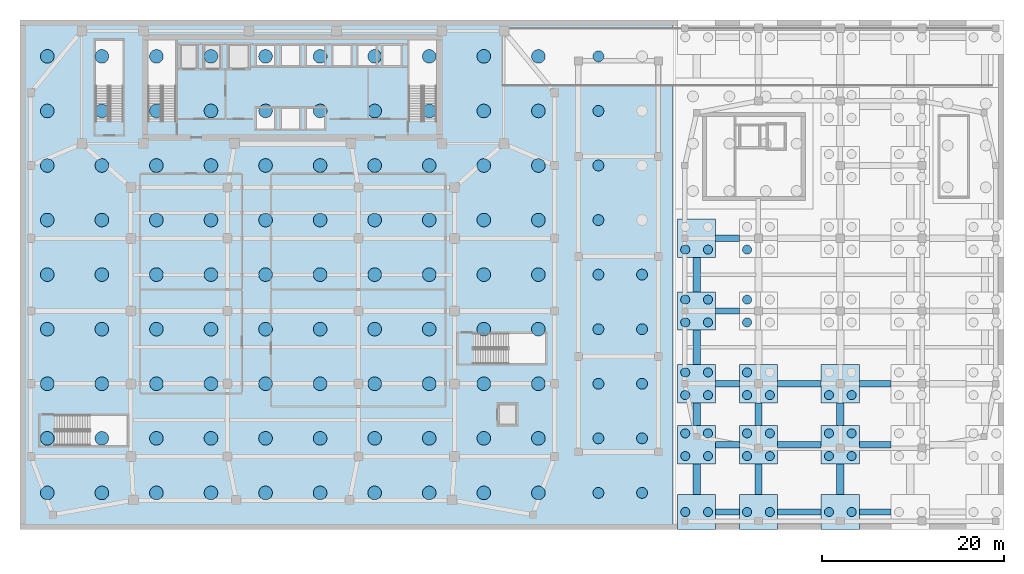
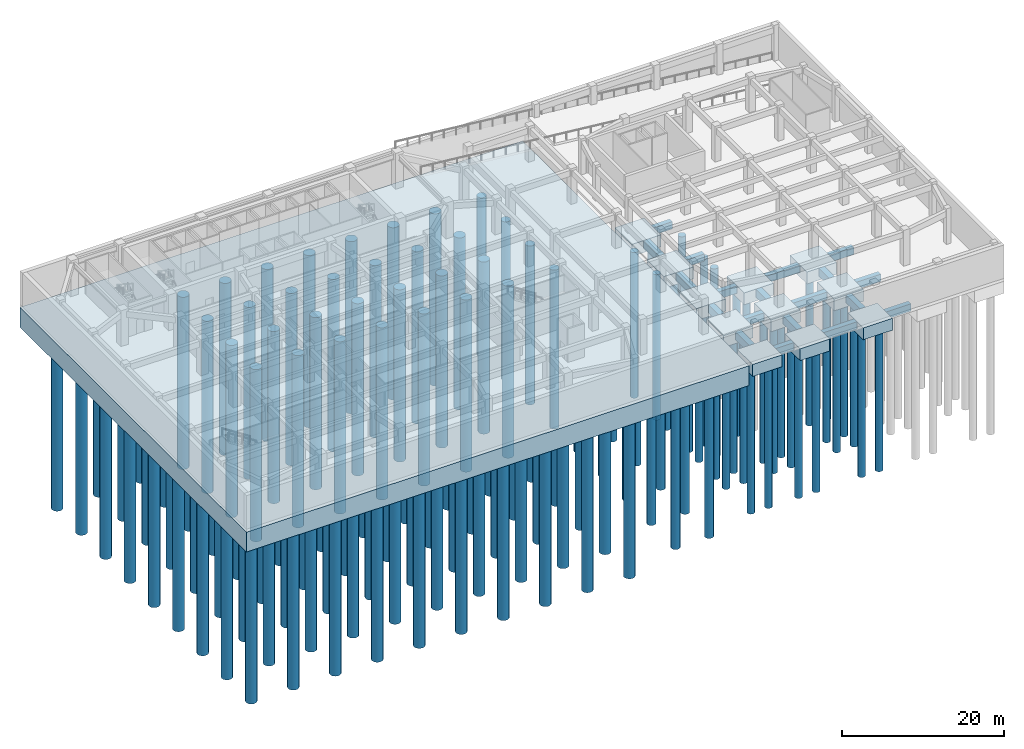
# One storey, part 1 of 18: 140 piles, 31 footings.
"""IFC4 building model written with IfcOpenShell, lengths in metres."""

from ifc_helpers import new_model, si_unit, direction, frame, origin, origin_2d, place, context, subcontext, project, spatial, polyline, rectangle, circle, outline, extrude, material, layer, layer_set, material_profile, profile_set, type_object, element, save


model = new_model("IFC4")

# Units and contexts
model_context = context("Model", 3, precision=1e-05, world=origin(), true_north=direction((0.0, 1.0)))
body_context = subcontext(model_context, "Body", "Model", "MODEL_VIEW")
ifc_project = project(units=[si_unit("LENGTHUNIT", "METRE"), si_unit("AREAUNIT", "SQUARE_METRE"), si_unit("VOLUMEUNIT", "CUBIC_METRE"), si_unit("PLANEANGLEUNIT", "RADIAN"), si_unit("MASSUNIT", "GRAM", prefix="KILO")], contexts=[model_context])

# Site, building, storey
site_placement = place(None, origin())
site = spatial("IfcSite", under=ifc_project, at=site_placement, CompositionType="ELEMENT")
building_placement = place(site_placement, origin())
building = spatial("IfcBuilding", under=site, at=building_placement, Name="Saevonmaru Cultural Tower", CompositionType="ELEMENT")
storey_placement = place(building_placement, frame((0.0, 0.0, -10.800048828125)))
storey = spatial("IfcBuildingStorey", under=building, at=storey_placement, Name="B2", CompositionType="ELEMENT", Elevation=-10.800048828125)

# Footings
ifc_material_1 = material(Name="Concrete C50/60", Category="concrete")
footing_type_1 = type_object("IfcFootingType", Name="FT-GB-800x1200", PredefinedType="STRIP_FOOTING", material=ifc_material_1)
footing_1_placement = place(storey_placement, frame((0.0, 0.0, -1.64990234375)))
element("IfcFooting", 1, at=footing_1_placement, inside=storey, type_object=footing_type_1, Name="Ground beam GB-01 Grid 9/A-B", PredefinedType="STRIP_FOOTING", context=body_context, shape_type="SweptSolid", body=[
    extrude(outline(polyline([(74.0, 3.800048828125), (74.800048828125, 3.800048828125), (74.800048828125, 7.199951171875), (74.0, 7.199951171875), (74.0, 3.800048828125)])), origin(), (0.0, 0.0, 1.0), 1.199951171875),
])
footing_2_placement = place(storey_placement, frame((0.0, 0.0, -1.64990234375)))
element("IfcFooting", 2, at=footing_2_placement, inside=storey, type_object=footing_type_1, Name="Ground beam GB-02 Grid 9/B-C", PredefinedType="STRIP_FOOTING", context=body_context, shape_type="SweptSolid", body=[
    extrude(outline(polyline([(74.0, 11.39990234375), (74.800048828125, 11.39990234375), (74.800048828125, 13.89990234375), (74.0, 13.89990234375), (74.0, 11.39990234375)])), origin(), (0.0, 0.0, 1.0), 1.199951171875),
])
footing_3_placement = place(storey_placement, frame((0.0, 0.0, -1.64990234375)))
element("IfcFooting", 3, at=footing_3_placement, inside=storey, type_object=footing_type_1, Name="Ground beam GB-03 Grid 9/C-D", PredefinedType="STRIP_FOOTING", context=body_context, shape_type="SweptSolid", body=[
    extrude(outline(polyline([(74.0, 18.10009765625), (74.800048828125, 18.10009765625), (74.800048828125, 21.89990234375), (74.0, 21.89990234375), (74.0, 18.10009765625)])), origin(), (0.0, 0.0, 1.0), 1.199951171875),
])
footing_4_placement = place(storey_placement, frame((0.0, 0.0, -1.64990234375)))
element("IfcFooting", 4, at=footing_4_placement, inside=storey, type_object=footing_type_1, Name="Ground beam GB-04 Grid 9/D-E", PredefinedType="STRIP_FOOTING", context=body_context, shape_type="SweptSolid", body=[
    extrude(outline(polyline([(74.0, 26.10009765625), (74.800048828125, 26.10009765625), (74.800048828125, 29.89990234375), (74.0, 29.89990234375), (74.0, 26.10009765625)])), origin(), (0.0, 0.0, 1.0), 1.199951171875),
])
footing_5_placement = place(storey_placement, frame((0.0, 0.0, -1.64990234375)))
element("IfcFooting", 5, at=footing_5_placement, inside=storey, type_object=footing_type_1, Name="Ground beam GB-06 Grid 10/A-B", PredefinedType="STRIP_FOOTING", context=body_context, shape_type="SweptSolid", body=[
    extrude(outline(polyline([(80.800048828125, 3.800048828125), (81.60009765625, 3.800048828125), (81.60009765625, 7.199951171875), (80.800048828125, 7.199951171875), (80.800048828125, 3.800048828125)])), origin(), (0.0, 0.0, 1.0), 1.199951171875),
])
footing_6_placement = place(storey_placement, frame((0.0, 0.0, -1.64990234375)))
element("IfcFooting", 6, at=footing_6_placement, inside=storey, type_object=footing_type_1, Name="Ground beam GB-07 Grid 10/B-C", PredefinedType="STRIP_FOOTING", context=body_context, shape_type="SweptSolid", body=[
    extrude(outline(polyline([(80.800048828125, 11.39990234375), (81.60009765625, 11.39990234375), (81.60009765625, 13.89990234375), (80.800048828125, 13.89990234375), (80.800048828125, 11.39990234375)])), origin(), (0.0, 0.0, 1.0), 1.199951171875),
])
footing_7_placement = place(storey_placement, frame((0.0, 0.0, -1.64990234375)))
element("IfcFooting", 7, at=footing_7_placement, inside=storey, type_object=footing_type_1, Name="Ground beam GB-11 Grid 11/A-B", PredefinedType="STRIP_FOOTING", context=body_context, shape_type="SweptSolid", body=[
    extrude(outline(polyline([(89.800048828125, 3.800048828125), (90.60009765625, 3.800048828125), (90.60009765625, 7.199951171875), (89.800048828125, 7.199951171875), (89.800048828125, 3.800048828125)])), origin(), (0.0, 0.0, 1.0), 1.199951171875),
])
footing_8_placement = place(storey_placement, frame((0.0, 0.0, -1.64990234375)))
element("IfcFooting", 8, at=footing_8_placement, inside=storey, type_object=footing_type_1, Name="Ground beam GB-12 Grid 11/B-C", PredefinedType="STRIP_FOOTING", context=body_context, shape_type="SweptSolid", body=[
    extrude(outline(polyline([(89.800048828125, 11.39990234375), (90.60009765625, 11.39990234375), (90.60009765625, 13.89990234375), (89.800048828125, 13.89990234375), (89.800048828125, 11.39990234375)])), origin(), (0.0, 0.0, 1.0), 1.199951171875),
])
ifc_layer_1 = layer(ifc_material_1, 1.800048828125, Name="Concrete C50/60")
ifc_layer_set_1 = layer_set([ifc_layer_1], Name="Concrete C50/60")
footing_type_2 = type_object("IfcFootingType", Name="FT-LCAP-4200", PredefinedType="PILE_CAP", material=ifc_layer_set_1)
for number, where, z_axis, x_axis, name in (
    (9, (74.39990234375, 9.300048828125, -2.25), (0.0, 0.0, 1.0), (1.0, 0.0, 0.0), "Pile cap 9/B"),
    (10, (74.39990234375, 16.0, -2.25), (0.0, 0.0, 1.0), (1.0, 0.0, 0.0), "Pile cap 9/C"),
    (11, (74.39990234375, 24.0, -2.25), (0.0, 0.0, 1.0), (1.0, 0.0, 0.0), "Pile cap 9/D"),
    (12, (74.39990234375, 32.0, -2.25), (0.0, 0.0, 1.0), (1.0, 0.0, 0.0), "Pile cap 9/E"),
    (13, (81.199951171875, 9.300048828125, -2.25), (0.0, 0.0, 1.0), (1.0, 0.0, 0.0), "Pile cap 10/B"),
    (14, (81.199951171875, 16.0, -2.25), (0.0, 0.0, 1.0), (1.0, 0.0, 0.0), "Pile cap 10/C"),
    (15, (90.199951171875, 9.300048828125, -2.25), (0.0, 0.0, 1.0), (1.0, 0.0, 0.0), "Pile cap 11/B"),
    (16, (90.199951171875, 16.0, -2.25), (0.0, 0.0, 1.0), (1.0, 0.0, 0.0), "Pile cap 11/C"),
):
    element("IfcFooting", number, at=place(storey_placement, frame(where, z_axis=z_axis, x_axis=x_axis)), inside=storey, type_object=footing_type_2, Name=name, PredefinedType="PILE_CAP", context=body_context, shape_type="SweptSolid", body=[
        extrude(rectangle(XDim=4.199951171875, YDim=4.199951171875, at=origin_2d()), origin(), (0.0, 0.0, 1.0), 1.800048828125),
    ])
ifc_layer_2 = layer(ifc_material_1, 1.800048828125, Name="Concrete C50/60")
ifc_layer_set_2 = layer_set([ifc_layer_2], Name="Concrete C50/60")
footing_type_3 = type_object("IfcFootingType", Name="FT-LCAP-EDGE", PredefinedType="PILE_CAP", material=ifc_layer_set_2)
for number, where, z_axis, x_axis, name in (
    (17, (74.39990234375, 1.89990234375, -2.25), (0.0, 0.0, 1.0), (1.0, 0.0, 0.0), "Pile cap 9/A"),
    (18, (81.199951171875, 1.89990234375, -2.25), (0.0, 0.0, 1.0), (1.0, 0.0, 0.0), "Pile cap 10/A"),
    (19, (90.199951171875, 1.89990234375, -2.25), (0.0, 0.0, 1.0), (1.0, 0.0, 0.0), "Pile cap 11/A"),
):
    element("IfcFooting", number, at=place(storey_placement, frame(where, z_axis=z_axis, x_axis=x_axis)), inside=storey, type_object=footing_type_3, Name=name, PredefinedType="PILE_CAP", context=body_context, shape_type="SweptSolid", body=[
        extrude(rectangle(XDim=4.199951171875, YDim=3.800048828125, at=origin_2d()), origin(), (0.0, 0.0, 1.0), 1.800048828125),
    ])
ifc_layer_3 = layer(ifc_material_1, 3.0, Name="Concrete C50/60")
ifc_layer_set_3 = layer_set([ifc_layer_3], Name="Concrete C50/60")
footing_type_4 = type_object("IfcFootingType", Name="FT-RAFT-3000", PredefinedType="PILE_CAP", material=ifc_layer_set_3)
footing_9_placement = place(storey_placement, frame((0.0, 0.0, -3.449951171875)))
element("IfcFooting", 20, at=footing_9_placement, inside=storey, type_object=footing_type_4, Name="Tower and Station Unified Piled Raft FR-1", PredefinedType="PILE_CAP", context=body_context, shape_type="SweptSolid", body=[
    extrude(outline(polyline([(0.0, 0.0), (71.800048828125, 0.0), (71.800048828125, 56.0), (0.0, 56.0), (0.0, 0.0)])), origin(), (0.0, 0.0, 1.0), 3.0),
])
footing_type_5 = type_object("IfcFootingType", Name="FT-TB-700x1100", PredefinedType="FOOTING_BEAM", material=ifc_material_1)
footing_10_placement = place(storey_placement, frame((0.0, 0.0, -1.550048828125)))
element("IfcFooting", 21, at=footing_10_placement, inside=storey, type_object=footing_type_5, Name="Tie footing beam TB-01 Grid A/9-10", PredefinedType="FOOTING_BEAM", context=body_context, shape_type="SweptSolid", body=[
    extrude(outline(polyline([(76.5, 1.550048828125), (79.10009765625, 1.550048828125), (79.10009765625, 2.25), (76.5, 2.25), (76.5, 1.550048828125)])), origin(), (0.0, 0.0, 1.0), 1.10009765625),
])
footing_11_placement = place(storey_placement, frame((0.0, 0.0, -1.550048828125)))
element("IfcFooting", 22, at=footing_11_placement, inside=storey, type_object=footing_type_5, Name="Tie footing beam TB-02 Grid A/10-11", PredefinedType="FOOTING_BEAM", context=body_context, shape_type="SweptSolid", body=[
    extrude(outline(polyline([(83.300048828125, 1.550048828125), (88.10009765625, 1.550048828125), (88.10009765625, 2.25), (83.300048828125, 2.25), (83.300048828125, 1.550048828125)])), origin(), (0.0, 0.0, 1.0), 1.10009765625),
])
footing_12_placement = place(storey_placement, frame((0.0, 0.0, -1.550048828125)))
element("IfcFooting", 23, at=footing_12_placement, inside=storey, type_object=footing_type_5, Name="Tie footing beam TB-03 Grid A/11-12", PredefinedType="FOOTING_BEAM", context=body_context, shape_type="SweptSolid", body=[
    extrude(outline(polyline([(92.300048828125, 1.550048828125), (95.800048828125, 1.550048828125), (95.800048828125, 2.25), (92.300048828125, 2.25), (92.300048828125, 1.550048828125)])), origin(), (0.0, 0.0, 1.0), 1.10009765625),
])
footing_13_placement = place(storey_placement, frame((0.0, 0.0, -1.550048828125)))
element("IfcFooting", 24, at=footing_13_placement, inside=storey, type_object=footing_type_5, Name="Tie footing beam TB-05 Grid B/9-10", PredefinedType="FOOTING_BEAM", context=body_context, shape_type="SweptSolid", body=[
    extrude(outline(polyline([(76.5, 8.949951171875), (79.10009765625, 8.949951171875), (79.10009765625, 9.64990234375), (76.5, 9.64990234375), (76.5, 8.949951171875)])), origin(), (0.0, 0.0, 1.0), 1.10009765625),
])
footing_14_placement = place(storey_placement, frame((0.0, 0.0, -1.550048828125)))
element("IfcFooting", 25, at=footing_14_placement, inside=storey, type_object=footing_type_5, Name="Tie footing beam TB-06 Grid B/10-11", PredefinedType="FOOTING_BEAM", context=body_context, shape_type="SweptSolid", body=[
    extrude(outline(polyline([(83.300048828125, 8.949951171875), (88.10009765625, 8.949951171875), (88.10009765625, 9.64990234375), (83.300048828125, 9.64990234375), (83.300048828125, 8.949951171875)])), origin(), (0.0, 0.0, 1.0), 1.10009765625),
])
footing_15_placement = place(storey_placement, frame((0.0, 0.0, -1.550048828125)))
element("IfcFooting", 26, at=footing_15_placement, inside=storey, type_object=footing_type_5, Name="Tie footing beam TB-07 Grid B/11-12", PredefinedType="FOOTING_BEAM", context=body_context, shape_type="SweptSolid", body=[
    extrude(outline(polyline([(92.300048828125, 8.949951171875), (95.800048828125, 8.949951171875), (95.800048828125, 9.64990234375), (92.300048828125, 9.64990234375), (92.300048828125, 8.949951171875)])), origin(), (0.0, 0.0, 1.0), 1.10009765625),
])
footing_16_placement = place(storey_placement, frame((0.0, 0.0, -1.550048828125)))
element("IfcFooting", 27, at=footing_16_placement, inside=storey, type_object=footing_type_5, Name="Tie footing beam TB-09 Grid C/9-10", PredefinedType="FOOTING_BEAM", context=body_context, shape_type="SweptSolid", body=[
    extrude(outline(polyline([(76.5, 15.64990234375), (79.10009765625, 15.64990234375), (79.10009765625, 16.35009765625), (76.5, 16.35009765625), (76.5, 15.64990234375)])), origin(), (0.0, 0.0, 1.0), 1.10009765625),
])
footing_17_placement = place(storey_placement, frame((0.0, 0.0, -1.550048828125)))
element("IfcFooting", 28, at=footing_17_placement, inside=storey, type_object=footing_type_5, Name="Tie footing beam TB-10 Grid C/10-11", PredefinedType="FOOTING_BEAM", context=body_context, shape_type="SweptSolid", body=[
    extrude(outline(polyline([(83.300048828125, 15.64990234375), (88.10009765625, 15.64990234375), (88.10009765625, 16.35009765625), (83.300048828125, 16.35009765625), (83.300048828125, 15.64990234375)])), origin(), (0.0, 0.0, 1.0), 1.10009765625),
])
footing_18_placement = place(storey_placement, frame((0.0, 0.0, -1.550048828125)))
element("IfcFooting", 29, at=footing_18_placement, inside=storey, type_object=footing_type_5, Name="Tie footing beam TB-11 Grid C/11-12", PredefinedType="FOOTING_BEAM", context=body_context, shape_type="SweptSolid", body=[
    extrude(outline(polyline([(92.300048828125, 15.64990234375), (95.800048828125, 15.64990234375), (95.800048828125, 16.35009765625), (92.300048828125, 16.35009765625), (92.300048828125, 15.64990234375)])), origin(), (0.0, 0.0, 1.0), 1.10009765625),
])
footing_19_placement = place(storey_placement, frame((0.0, 0.0, -1.550048828125)))
element("IfcFooting", 30, at=footing_19_placement, inside=storey, type_object=footing_type_5, Name="Tie footing beam TB-13 Grid D/9-10", PredefinedType="FOOTING_BEAM", context=body_context, shape_type="SweptSolid", body=[
    extrude(outline(polyline([(76.5, 23.64990234375), (79.10009765625, 23.64990234375), (79.10009765625, 24.35009765625), (76.5, 24.35009765625), (76.5, 23.64990234375)])), origin(), (0.0, 0.0, 1.0), 1.10009765625),
])
footing_20_placement = place(storey_placement, frame((0.0, 0.0, -1.550048828125)))
element("IfcFooting", 31, at=footing_20_placement, inside=storey, type_object=footing_type_5, Name="Tie footing beam TB-17 Grid E/9-10", PredefinedType="FOOTING_BEAM", context=body_context, shape_type="SweptSolid", body=[
    extrude(outline(polyline([(76.5, 31.64990234375), (79.10009765625, 31.64990234375), (79.10009765625, 32.35009765625), (76.5, 32.35009765625), (76.5, 31.64990234375)])), origin(), (0.0, 0.0, 1.0), 1.10009765625),
])

# Piles
ifc_material_2 = material(Name="Concrete C40/50", Category="concrete")
ifc_material_profile_1 = material_profile(ifc_material_2, circle(Radius=0.5, at=origin_2d()), Name="PILE-D1000")
ifc_profile_set_1 = profile_set([ifc_material_profile_1], Name="Concrete C40/50")
pile_type_1 = type_object("IfcPileType", Name="PL-BORED-1000", PredefinedType="BORED", material=ifc_profile_set_1)
for number, where, z_axis, x_axis, name in (
    (32, (73.14990234375, 1.89990234375, -2.14990234375), (0.0, 0.0, -1.0), (1.0, 0.0, 0.0), "Library bored pile BP3-001"),
    (33, (75.64990234375, 1.89990234375, -2.14990234375), (0.0, 0.0, -1.0), (1.0, 0.0, 0.0), "Library bored pile BP3-002"),
    (34, (73.14990234375, 8.050048828125, -2.14990234375), (0.0, 0.0, -1.0), (1.0, 0.0, 0.0), "Library bored pile BP3-003"),
    (35, (75.64990234375, 8.050048828125, -2.14990234375), (0.0, 0.0, -1.0), (1.0, 0.0, 0.0), "Library bored pile BP3-004"),
    (36, (73.14990234375, 10.550048828125, -2.14990234375), (0.0, 0.0, -1.0), (1.0, 0.0, 0.0), "Library bored pile BP3-005"),
    (37, (75.64990234375, 10.550048828125, -2.14990234375), (0.0, 0.0, -1.0), (1.0, 0.0, 0.0), "Library bored pile BP3-006"),
    (38, (73.14990234375, 14.75, -2.14990234375), (0.0, 0.0, -1.0), (1.0, 0.0, 0.0), "Library bored pile BP3-007"),
    (39, (75.64990234375, 14.75, -2.14990234375), (0.0, 0.0, -1.0), (1.0, 0.0, 0.0), "Library bored pile BP3-008"),
    (40, (73.14990234375, 17.25, -2.14990234375), (0.0, 0.0, -1.0), (1.0, 0.0, 0.0), "Library bored pile BP3-009"),
    (41, (75.64990234375, 17.25, -2.14990234375), (0.0, 0.0, -1.0), (1.0, 0.0, 0.0), "Library bored pile BP3-010"),
    (42, (73.14990234375, 22.75, -2.14990234375), (0.0, 0.0, -1.0), (1.0, 0.0, 0.0), "Library bored pile BP3-011"),
    (43, (75.64990234375, 22.75, -2.14990234375), (0.0, 0.0, -1.0), (1.0, 0.0, 0.0), "Library bored pile BP3-012"),
    (44, (73.14990234375, 25.25, -2.14990234375), (0.0, 0.0, -1.0), (1.0, 0.0, 0.0), "Library bored pile BP3-013"),
    (45, (75.64990234375, 25.25, -2.14990234375), (0.0, 0.0, -1.0), (1.0, 0.0, 0.0), "Library bored pile BP3-014"),
    (46, (73.14990234375, 30.75, -2.14990234375), (0.0, 0.0, -1.0), (1.0, 0.0, 0.0), "Library bored pile BP3-015"),
    (47, (75.64990234375, 30.75, -2.14990234375), (0.0, 0.0, -1.0), (1.0, 0.0, 0.0), "Library bored pile BP3-016"),
    (48, (79.949951171875, 1.89990234375, -2.14990234375), (0.0, 0.0, -1.0), (1.0, 0.0, 0.0), "Library bored pile BP3-021"),
    (49, (82.449951171875, 1.89990234375, -2.14990234375), (0.0, 0.0, -1.0), (1.0, 0.0, 0.0), "Library bored pile BP3-022"),
    (50, (79.949951171875, 8.050048828125, -2.14990234375), (0.0, 0.0, -1.0), (1.0, 0.0, 0.0), "Library bored pile BP3-023"),
    (51, (82.449951171875, 8.050048828125, -2.14990234375), (0.0, 0.0, -1.0), (1.0, 0.0, 0.0), "Library bored pile BP3-024"),
    (52, (79.949951171875, 10.550048828125, -2.14990234375), (0.0, 0.0, -1.0), (1.0, 0.0, 0.0), "Library bored pile BP3-025"),
    (53, (82.449951171875, 10.550048828125, -2.14990234375), (0.0, 0.0, -1.0), (1.0, 0.0, 0.0), "Library bored pile BP3-026"),
    (54, (79.949951171875, 14.75, -2.14990234375), (0.0, 0.0, -1.0), (1.0, 0.0, 0.0), "Library bored pile BP3-027"),
    (55, (82.449951171875, 14.75, -2.14990234375), (0.0, 0.0, -1.0), (1.0, 0.0, 0.0), "Library bored pile BP3-028"),
    (56, (79.949951171875, 17.25, -2.14990234375), (0.0, 0.0, -1.0), (1.0, 0.0, 0.0), "Library bored pile BP3-029"),
    (57, (79.949951171875, 22.75, -2.14990234375), (0.0, 0.0, -1.0), (1.0, 0.0, 0.0), "Library bored pile BP3-031"),
    (58, (79.949951171875, 25.25, -2.14990234375), (0.0, 0.0, -1.0), (1.0, 0.0, 0.0), "Library bored pile BP3-033"),
    (59, (79.949951171875, 30.75, -2.14990234375), (0.0, 0.0, -1.0), (1.0, 0.0, 0.0), "Library bored pile BP3-035"),
    (60, (88.949951171875, 1.89990234375, -2.14990234375), (0.0, 0.0, -1.0), (1.0, 0.0, 0.0), "Library bored pile BP3-041"),
    (61, (91.449951171875, 1.89990234375, -2.14990234375), (0.0, 0.0, -1.0), (1.0, 0.0, 0.0), "Library bored pile BP3-042"),
    (62, (88.949951171875, 8.050048828125, -2.14990234375), (0.0, 0.0, -1.0), (1.0, 0.0, 0.0), "Library bored pile BP3-043"),
    (63, (91.449951171875, 8.050048828125, -2.14990234375), (0.0, 0.0, -1.0), (1.0, 0.0, 0.0), "Library bored pile BP3-044"),
    (64, (88.949951171875, 10.550048828125, -2.14990234375), (0.0, 0.0, -1.0), (1.0, 0.0, 0.0), "Library bored pile BP3-045"),
    (65, (91.449951171875, 10.550048828125, -2.14990234375), (0.0, 0.0, -1.0), (1.0, 0.0, 0.0), "Library bored pile BP3-046"),
    (66, (88.949951171875, 14.75, -2.14990234375), (0.0, 0.0, -1.0), (1.0, 0.0, 0.0), "Library bored pile BP3-047"),
    (67, (91.449951171875, 14.75, -2.14990234375), (0.0, 0.0, -1.0), (1.0, 0.0, 0.0), "Library bored pile BP3-048"),
):
    element("IfcPile", number, at=place(storey_placement, frame(where, z_axis=z_axis, x_axis=x_axis)), inside=storey, type_object=pile_type_1, Name=name, PredefinedType="BORED", context=body_context, shape_type="SweptSolid", body=[
        extrude(circle(Radius=0.5, at=origin_2d()), origin(), (0.0, 0.0, 1.0), 22.0),
    ])
ifc_material_profile_2 = material_profile(ifc_material_1, circle(Radius=0.60009765625, at=origin_2d()), Name="PILE-D1200")
ifc_profile_set_2 = profile_set([ifc_material_profile_2], Name="Concrete C50/60")
pile_type_2 = type_object("IfcPileType", Name="PL-BORED-1200", PredefinedType="BORED", material=ifc_profile_set_2)
for number, where, z_axis, x_axis, name in (
    (68, (63.60009765625, 4.0, -3.349853515625), (0.0, 0.0, -1.0), (1.0, 0.0, 0.0), "Station concourse bored pile BP2-001"),
    (69, (63.60009765625, 10.0, -3.349853515625), (0.0, 0.0, -1.0), (1.0, 0.0, 0.0), "Station concourse bored pile BP2-002"),
    (70, (63.60009765625, 16.0, -3.349853515625), (0.0, 0.0, -1.0), (1.0, 0.0, 0.0), "Station concourse bored pile BP2-003"),
    (71, (63.60009765625, 22.0, -3.349853515625), (0.0, 0.0, -1.0), (1.0, 0.0, 0.0), "Station concourse bored pile BP2-004"),
    (72, (63.60009765625, 28.0, -3.349853515625), (0.0, 0.0, -1.0), (1.0, 0.0, 0.0), "Station concourse bored pile BP2-005"),
    (73, (63.60009765625, 34.0, -3.349853515625), (0.0, 0.0, -1.0), (1.0, 0.0, 0.0), "Station concourse bored pile BP2-006"),
    (74, (63.60009765625, 40.0, -3.349853515625), (0.0, 0.0, -1.0), (1.0, 0.0, 0.0), "Station concourse bored pile BP2-007"),
    (75, (63.60009765625, 46.0, -3.349853515625), (0.0, 0.0, -1.0), (1.0, 0.0, 0.0), "Station concourse bored pile BP2-008"),
    (76, (63.60009765625, 52.0, -3.349853515625), (0.0, 0.0, -1.0), (1.0, 0.0, 0.0), "Station concourse bored pile BP2-009"),
    (77, (68.39990234375, 4.0, -3.349853515625), (0.0, 0.0, -1.0), (1.0, 0.0, 0.0), "Station concourse bored pile BP2-010"),
    (78, (68.39990234375, 10.0, -3.349853515625), (0.0, 0.0, -1.0), (1.0, 0.0, 0.0), "Station concourse bored pile BP2-011"),
    (79, (68.39990234375, 16.0, -3.349853515625), (0.0, 0.0, -1.0), (1.0, 0.0, 0.0), "Station concourse bored pile BP2-012"),
    (80, (68.39990234375, 22.0, -3.349853515625), (0.0, 0.0, -1.0), (1.0, 0.0, 0.0), "Station concourse bored pile BP2-013"),
    (81, (68.39990234375, 28.0, -3.349853515625), (0.0, 0.0, -1.0), (1.0, 0.0, 0.0), "Station concourse bored pile BP2-014"),
):
    element("IfcPile", number, at=place(storey_placement, frame(where, z_axis=z_axis, x_axis=x_axis)), inside=storey, type_object=pile_type_2, Name=name, PredefinedType="BORED", context=body_context, shape_type="SweptSolid", body=[
        extrude(circle(Radius=0.60009765625, at=origin_2d()), origin(), (0.0, 0.0, 1.0), 24.0),
    ])
ifc_material_profile_3 = material_profile(ifc_material_1, circle(Radius=0.75, at=origin_2d()), Name="PILE-D1500")
ifc_profile_set_3 = profile_set([ifc_material_profile_3], Name="Concrete C50/60")
pile_type_3 = type_object("IfcPileType", Name="PL-BORED-1500", PredefinedType="BORED", material=ifc_profile_set_3)
for number, where, z_axis, x_axis, name in (
    (82, (3.0, 4.0, -3.349853515625), (0.0, 0.0, -1.0), (1.0, 0.0, 0.0), "Tower rock-socketed bored pile BP1-001"),
    (83, (3.0, 10.0, -3.349853515625), (0.0, 0.0, -1.0), (1.0, 0.0, 0.0), "Tower rock-socketed bored pile BP1-002"),
    (84, (3.0, 16.0, -3.349853515625), (0.0, 0.0, -1.0), (1.0, 0.0, 0.0), "Tower rock-socketed bored pile BP1-003"),
    (85, (3.0, 22.0, -3.349853515625), (0.0, 0.0, -1.0), (1.0, 0.0, 0.0), "Tower rock-socketed bored pile BP1-004"),
    (86, (3.0, 28.0, -3.349853515625), (0.0, 0.0, -1.0), (1.0, 0.0, 0.0), "Tower rock-socketed bored pile BP1-005"),
    (87, (3.0, 34.0, -3.349853515625), (0.0, 0.0, -1.0), (1.0, 0.0, 0.0), "Tower rock-socketed bored pile BP1-006"),
    (88, (3.0, 40.0, -3.349853515625), (0.0, 0.0, -1.0), (1.0, 0.0, 0.0), "Tower rock-socketed bored pile BP1-007"),
    (89, (3.0, 46.0, -3.349853515625), (0.0, 0.0, -1.0), (1.0, 0.0, 0.0), "Tower rock-socketed bored pile BP1-008"),
    (90, (3.0, 52.0, -3.349853515625), (0.0, 0.0, -1.0), (1.0, 0.0, 0.0), "Tower rock-socketed bored pile BP1-009"),
    (91, (9.0, 4.0, -3.349853515625), (0.0, 0.0, -1.0), (1.0, 0.0, 0.0), "Tower rock-socketed bored pile BP1-010"),
    (92, (9.0, 10.0, -3.349853515625), (0.0, 0.0, -1.0), (1.0, 0.0, 0.0), "Tower rock-socketed bored pile BP1-011"),
    (93, (9.0, 16.0, -3.349853515625), (0.0, 0.0, -1.0), (1.0, 0.0, 0.0), "Tower rock-socketed bored pile BP1-012"),
    (94, (9.0, 22.0, -3.349853515625), (0.0, 0.0, -1.0), (1.0, 0.0, 0.0), "Tower rock-socketed bored pile BP1-013"),
    (95, (9.0, 28.0, -3.349853515625), (0.0, 0.0, -1.0), (1.0, 0.0, 0.0), "Tower rock-socketed bored pile BP1-014"),
    (96, (9.0, 34.0, -3.349853515625), (0.0, 0.0, -1.0), (1.0, 0.0, 0.0), "Tower rock-socketed bored pile BP1-015"),
    (97, (9.0, 40.0, -3.349853515625), (0.0, 0.0, -1.0), (1.0, 0.0, 0.0), "Tower rock-socketed bored pile BP1-016"),
    (98, (9.0, 46.0, -3.349853515625), (0.0, 0.0, -1.0), (1.0, 0.0, 0.0), "Tower rock-socketed bored pile BP1-017"),
    (99, (9.0, 52.0, -3.349853515625), (0.0, 0.0, -1.0), (1.0, 0.0, 0.0), "Tower rock-socketed bored pile BP1-018"),
    (100, (15.0, 4.0, -3.349853515625), (0.0, 0.0, -1.0), (1.0, 0.0, 0.0), "Tower rock-socketed bored pile BP1-019"),
    (101, (15.0, 10.0, -3.349853515625), (0.0, 0.0, -1.0), (1.0, 0.0, 0.0), "Tower rock-socketed bored pile BP1-020"),
    (102, (15.0, 16.0, -3.349853515625), (0.0, 0.0, -1.0), (1.0, 0.0, 0.0), "Tower rock-socketed bored pile BP1-021"),
    (103, (15.0, 22.0, -3.349853515625), (0.0, 0.0, -1.0), (1.0, 0.0, 0.0), "Tower rock-socketed bored pile BP1-022"),
    (104, (15.0, 28.0, -3.349853515625), (0.0, 0.0, -1.0), (1.0, 0.0, 0.0), "Tower rock-socketed bored pile BP1-023"),
    (105, (15.0, 34.0, -3.349853515625), (0.0, 0.0, -1.0), (1.0, 0.0, 0.0), "Tower rock-socketed bored pile BP1-024"),
    (106, (15.0, 40.0, -3.349853515625), (0.0, 0.0, -1.0), (1.0, 0.0, 0.0), "Tower rock-socketed bored pile BP1-025"),
    (107, (15.0, 46.0, -3.349853515625), (0.0, 0.0, -1.0), (1.0, 0.0, 0.0), "Tower rock-socketed bored pile BP1-026"),
    (108, (15.0, 52.0, -3.349853515625), (0.0, 0.0, -1.0), (1.0, 0.0, 0.0), "Tower rock-socketed bored pile BP1-027"),
    (109, (21.0, 4.0, -3.349853515625), (0.0, 0.0, -1.0), (1.0, 0.0, 0.0), "Tower rock-socketed bored pile BP1-028"),
    (110, (21.0, 10.0, -3.349853515625), (0.0, 0.0, -1.0), (1.0, 0.0, 0.0), "Tower rock-socketed bored pile BP1-029"),
    (111, (21.0, 16.0, -3.349853515625), (0.0, 0.0, -1.0), (1.0, 0.0, 0.0), "Tower rock-socketed bored pile BP1-030"),
    (112, (21.0, 22.0, -3.349853515625), (0.0, 0.0, -1.0), (1.0, 0.0, 0.0), "Tower rock-socketed bored pile BP1-031"),
    (113, (21.0, 28.0, -3.349853515625), (0.0, 0.0, -1.0), (1.0, 0.0, 0.0), "Tower rock-socketed bored pile BP1-032"),
    (114, (21.0, 34.0, -3.349853515625), (0.0, 0.0, -1.0), (1.0, 0.0, 0.0), "Tower rock-socketed bored pile BP1-033"),
    (115, (21.0, 40.0, -3.349853515625), (0.0, 0.0, -1.0), (1.0, 0.0, 0.0), "Tower rock-socketed bored pile BP1-034"),
    (116, (21.0, 46.0, -3.349853515625), (0.0, 0.0, -1.0), (1.0, 0.0, 0.0), "Tower rock-socketed bored pile BP1-035"),
    (117, (21.0, 52.0, -3.349853515625), (0.0, 0.0, -1.0), (1.0, 0.0, 0.0), "Tower rock-socketed bored pile BP1-036"),
    (118, (27.0, 4.0, -3.349853515625), (0.0, 0.0, -1.0), (1.0, 0.0, 0.0), "Tower rock-socketed bored pile BP1-037"),
    (119, (27.0, 10.0, -3.349853515625), (0.0, 0.0, -1.0), (1.0, 0.0, 0.0), "Tower rock-socketed bored pile BP1-038"),
    (120, (27.0, 16.0, -3.349853515625), (0.0, 0.0, -1.0), (1.0, 0.0, 0.0), "Tower rock-socketed bored pile BP1-039"),
    (121, (27.0, 22.0, -3.349853515625), (0.0, 0.0, -1.0), (1.0, 0.0, 0.0), "Tower rock-socketed bored pile BP1-040"),
    (122, (27.0, 28.0, -3.349853515625), (0.0, 0.0, -1.0), (1.0, 0.0, 0.0), "Tower rock-socketed bored pile BP1-041"),
    (123, (27.0, 34.0, -3.349853515625), (0.0, 0.0, -1.0), (1.0, 0.0, 0.0), "Tower rock-socketed bored pile BP1-042"),
    (124, (27.0, 40.0, -3.349853515625), (0.0, 0.0, -1.0), (1.0, 0.0, 0.0), "Tower rock-socketed bored pile BP1-043"),
    (125, (27.0, 46.0, -3.349853515625), (0.0, 0.0, -1.0), (1.0, 0.0, 0.0), "Tower rock-socketed bored pile BP1-044"),
    (126, (27.0, 52.0, -3.349853515625), (0.0, 0.0, -1.0), (1.0, 0.0, 0.0), "Tower rock-socketed bored pile BP1-045"),
    (127, (33.0, 4.0, -3.349853515625), (0.0, 0.0, -1.0), (1.0, 0.0, 0.0), "Tower rock-socketed bored pile BP1-046"),
    (128, (33.0, 10.0, -3.349853515625), (0.0, 0.0, -1.0), (1.0, 0.0, 0.0), "Tower rock-socketed bored pile BP1-047"),
    (129, (33.0, 16.0, -3.349853515625), (0.0, 0.0, -1.0), (1.0, 0.0, 0.0), "Tower rock-socketed bored pile BP1-048"),
    (130, (33.0, 22.0, -3.349853515625), (0.0, 0.0, -1.0), (1.0, 0.0, 0.0), "Tower rock-socketed bored pile BP1-049"),
    (131, (33.0, 28.0, -3.349853515625), (0.0, 0.0, -1.0), (1.0, 0.0, 0.0), "Tower rock-socketed bored pile BP1-050"),
    (132, (33.0, 34.0, -3.349853515625), (0.0, 0.0, -1.0), (1.0, 0.0, 0.0), "Tower rock-socketed bored pile BP1-051"),
    (133, (33.0, 40.0, -3.349853515625), (0.0, 0.0, -1.0), (1.0, 0.0, 0.0), "Tower rock-socketed bored pile BP1-052"),
    (134, (33.0, 46.0, -3.349853515625), (0.0, 0.0, -1.0), (1.0, 0.0, 0.0), "Tower rock-socketed bored pile BP1-053"),
    (135, (33.0, 52.0, -3.349853515625), (0.0, 0.0, -1.0), (1.0, 0.0, 0.0), "Tower rock-socketed bored pile BP1-054"),
    (136, (39.0, 4.0, -3.349853515625), (0.0, 0.0, -1.0), (1.0, 0.0, 0.0), "Tower rock-socketed bored pile BP1-055"),
    (137, (39.0, 10.0, -3.349853515625), (0.0, 0.0, -1.0), (1.0, 0.0, 0.0), "Tower rock-socketed bored pile BP1-056"),
    (138, (39.0, 16.0, -3.349853515625), (0.0, 0.0, -1.0), (1.0, 0.0, 0.0), "Tower rock-socketed bored pile BP1-057"),
    (139, (39.0, 22.0, -3.349853515625), (0.0, 0.0, -1.0), (1.0, 0.0, 0.0), "Tower rock-socketed bored pile BP1-058"),
    (140, (39.0, 28.0, -3.349853515625), (0.0, 0.0, -1.0), (1.0, 0.0, 0.0), "Tower rock-socketed bored pile BP1-059"),
    (141, (39.0, 34.0, -3.349853515625), (0.0, 0.0, -1.0), (1.0, 0.0, 0.0), "Tower rock-socketed bored pile BP1-060"),
    (142, (39.0, 40.0, -3.349853515625), (0.0, 0.0, -1.0), (1.0, 0.0, 0.0), "Tower rock-socketed bored pile BP1-061"),
    (143, (39.0, 46.0, -3.349853515625), (0.0, 0.0, -1.0), (1.0, 0.0, 0.0), "Tower rock-socketed bored pile BP1-062"),
    (144, (39.0, 52.0, -3.349853515625), (0.0, 0.0, -1.0), (1.0, 0.0, 0.0), "Tower rock-socketed bored pile BP1-063"),
    (145, (45.0, 4.0, -3.349853515625), (0.0, 0.0, -1.0), (1.0, 0.0, 0.0), "Tower rock-socketed bored pile BP1-064"),
    (146, (45.0, 10.0, -3.349853515625), (0.0, 0.0, -1.0), (1.0, 0.0, 0.0), "Tower rock-socketed bored pile BP1-065"),
    (147, (45.0, 16.0, -3.349853515625), (0.0, 0.0, -1.0), (1.0, 0.0, 0.0), "Tower rock-socketed bored pile BP1-066"),
    (148, (45.0, 22.0, -3.349853515625), (0.0, 0.0, -1.0), (1.0, 0.0, 0.0), "Tower rock-socketed bored pile BP1-067"),
    (149, (45.0, 28.0, -3.349853515625), (0.0, 0.0, -1.0), (1.0, 0.0, 0.0), "Tower rock-socketed bored pile BP1-068"),
    (150, (45.0, 34.0, -3.349853515625), (0.0, 0.0, -1.0), (1.0, 0.0, 0.0), "Tower rock-socketed bored pile BP1-069"),
    (151, (45.0, 40.0, -3.349853515625), (0.0, 0.0, -1.0), (1.0, 0.0, 0.0), "Tower rock-socketed bored pile BP1-070"),
    (152, (45.0, 46.0, -3.349853515625), (0.0, 0.0, -1.0), (1.0, 0.0, 0.0), "Tower rock-socketed bored pile BP1-071"),
    (153, (45.0, 52.0, -3.349853515625), (0.0, 0.0, -1.0), (1.0, 0.0, 0.0), "Tower rock-socketed bored pile BP1-072"),
    (154, (51.0, 4.0, -3.349853515625), (0.0, 0.0, -1.0), (1.0, 0.0, 0.0), "Tower rock-socketed bored pile BP1-073"),
    (155, (51.0, 10.0, -3.349853515625), (0.0, 0.0, -1.0), (1.0, 0.0, 0.0), "Tower rock-socketed bored pile BP1-074"),
    (156, (51.0, 16.0, -3.349853515625), (0.0, 0.0, -1.0), (1.0, 0.0, 0.0), "Tower rock-socketed bored pile BP1-075"),
    (157, (51.0, 22.0, -3.349853515625), (0.0, 0.0, -1.0), (1.0, 0.0, 0.0), "Tower rock-socketed bored pile BP1-076"),
    (158, (51.0, 28.0, -3.349853515625), (0.0, 0.0, -1.0), (1.0, 0.0, 0.0), "Tower rock-socketed bored pile BP1-077"),
    (159, (51.0, 34.0, -3.349853515625), (0.0, 0.0, -1.0), (1.0, 0.0, 0.0), "Tower rock-socketed bored pile BP1-078"),
    (160, (51.0, 40.0, -3.349853515625), (0.0, 0.0, -1.0), (1.0, 0.0, 0.0), "Tower rock-socketed bored pile BP1-079"),
    (161, (51.0, 46.0, -3.349853515625), (0.0, 0.0, -1.0), (1.0, 0.0, 0.0), "Tower rock-socketed bored pile BP1-080"),
    (162, (51.0, 52.0, -3.349853515625), (0.0, 0.0, -1.0), (1.0, 0.0, 0.0), "Tower rock-socketed bored pile BP1-081"),
    (163, (57.0, 4.0, -3.349853515625), (0.0, 0.0, -1.0), (1.0, 0.0, 0.0), "Tower rock-socketed bored pile BP1-082"),
    (164, (57.0, 10.0, -3.349853515625), (0.0, 0.0, -1.0), (1.0, 0.0, 0.0), "Tower rock-socketed bored pile BP1-083"),
    (165, (57.0, 16.0, -3.349853515625), (0.0, 0.0, -1.0), (1.0, 0.0, 0.0), "Tower rock-socketed bored pile BP1-084"),
    (166, (57.0, 22.0, -3.349853515625), (0.0, 0.0, -1.0), (1.0, 0.0, 0.0), "Tower rock-socketed bored pile BP1-085"),
    (167, (57.0, 28.0, -3.349853515625), (0.0, 0.0, -1.0), (1.0, 0.0, 0.0), "Tower rock-socketed bored pile BP1-086"),
    (168, (57.0, 34.0, -3.349853515625), (0.0, 0.0, -1.0), (1.0, 0.0, 0.0), "Tower rock-socketed bored pile BP1-087"),
    (169, (57.0, 40.0, -3.349853515625), (0.0, 0.0, -1.0), (1.0, 0.0, 0.0), "Tower rock-socketed bored pile BP1-088"),
    (170, (57.0, 46.0, -3.349853515625), (0.0, 0.0, -1.0), (1.0, 0.0, 0.0), "Tower rock-socketed bored pile BP1-089"),
    (171, (57.0, 52.0, -3.349853515625), (0.0, 0.0, -1.0), (1.0, 0.0, 0.0), "Tower rock-socketed bored pile BP1-090"),
):
    element("IfcPile", number, at=place(storey_placement, frame(where, z_axis=z_axis, x_axis=x_axis)), inside=storey, type_object=pile_type_3, Name=name, PredefinedType="BORED", context=body_context, shape_type="SweptSolid", body=[
        extrude(circle(Radius=0.75, at=origin_2d()), origin(), (0.0, 0.0, 1.0), 26.0),
    ])

save(model, "model.ifc")
